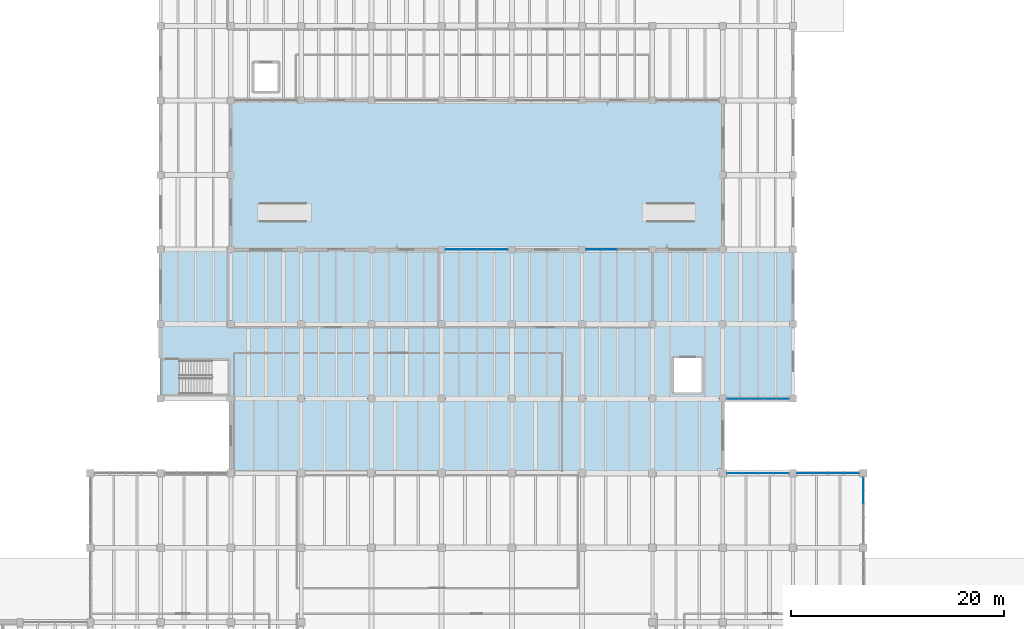
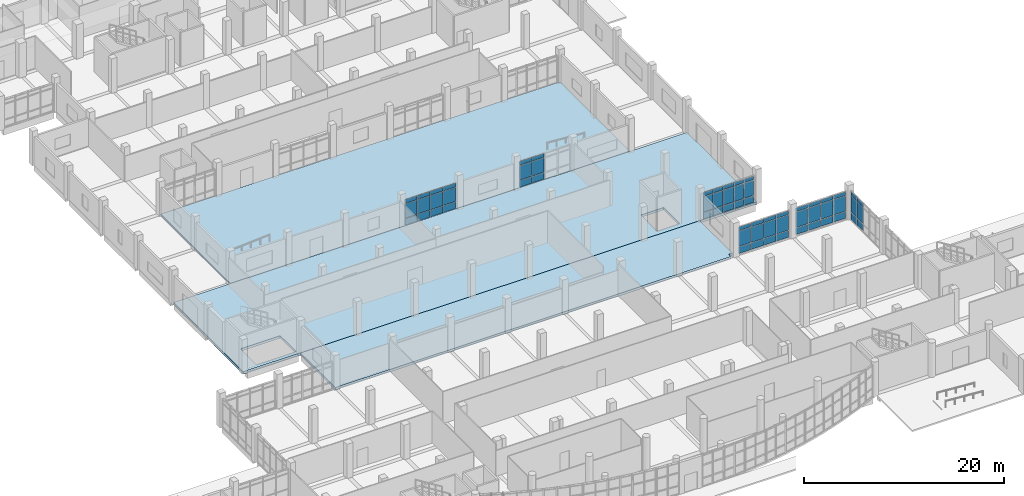
# One storey, part 37 of 69: 63 plates, 3 slabs, 6 elements without a shape of their own.
"""IFC4 building model written with IfcOpenShell, lengths in metres."""

from ifc_helpers import new_model, si_unit, direction, frame, origin, origin_2d, place, context, subcontext, project, spatial, polyline, rectangle, outline, extrude, material, layer, layer_set, type_object, element, aggregate, save


model = new_model("IFC4")

# Units and contexts
model_context = context("Model", 3, precision=1e-05, world=origin(), true_north=direction((0.0, 1.0)))
body_context = subcontext(model_context, "Body", "Model", "MODEL_VIEW")
ifc_project = project(units=[si_unit("LENGTHUNIT", "METRE"), si_unit("AREAUNIT", "SQUARE_METRE"), si_unit("VOLUMEUNIT", "CUBIC_METRE"), si_unit("PLANEANGLEUNIT", "RADIAN"), si_unit("MASSUNIT", "GRAM", prefix="KILO")], contexts=[model_context])

# Site, building, storey
site_placement = place(None, origin())
site = spatial("IfcSite", under=ifc_project, at=site_placement, CompositionType="ELEMENT")
building_placement = place(site_placement, origin())
building = spatial("IfcBuilding", under=site, at=building_placement, Name="Ciguamira Faculty of Natural Sciences", CompositionType="ELEMENT")
storey_placement = place(building_placement, origin())
storey = spatial("IfcBuildingStorey", under=building, at=storey_placement, Name="L00", CompositionType="ELEMENT", Elevation=0.0)

# Curtain wall, plates
ifc_material_1 = material(Name="Anodized aluminium curtain wall", Category="aluminium")
curtain_wall_type_1 = type_object("IfcCurtainWallType", Name="CurtainWall_CW-07", PredefinedType="USERDEFINED", material=ifc_material_1)
curtain_wall_1_placement = place(storey_placement, origin())
curtain_wall_1 = element("IfcCurtainWall", 1, at=curtain_wall_1_placement, inside=storey, type_object=curtain_wall_type_1, Name="L00 unitised curtain wall 0007", ObjectType="UNITISED CURTAIN WALL", PredefinedType="USERDEFINED")
ifc_material_2 = material(Name="Low-E laminated solar glass", Category="glass")
ifc_layer_1 = layer(ifc_material_2, 0.028076171875, Name="Low-E laminated solar glass")
ifc_layer_set_1 = layer_set([ifc_layer_1], Name="Low-E laminated solar glass")
plate_type_1 = type_object("IfcPlateType", Name="CWPanel_CWP-01", PredefinedType="CURTAIN_PANEL", material=ifc_layer_set_1)
plate_1_placement = place(storey_placement, frame((111.202392578125, 38.0, 0.06005859375), z_axis=(0.0, 0.0, 1.0), x_axis=(1.0, 0.0, 0.0)))
plate_1 = element("IfcPlate", 2, at=plate_1_placement, type_object=plate_type_1, Name="CW-07 panel 1.1", PredefinedType="CURTAIN_PANEL", context=body_context, shape_type="SweptSolid", body=[
    extrude(rectangle(XDim=1.385009765625, YDim=0.028076171875, at=origin_2d()), origin(), (0.0, 0.0, 1.0), 0.81005859375),
])
plate_2_placement = place(storey_placement, frame((111.202392578125, 38.0, 0.929931640625), z_axis=(0.0, 0.0, 1.0), x_axis=(1.0, 0.0, 0.0)))
plate_2 = element("IfcPlate", 3, at=plate_2_placement, type_object=plate_type_1, Name="CW-07 panel 1.2", PredefinedType="CURTAIN_PANEL", context=body_context, shape_type="SweptSolid", body=[
    extrude(rectangle(XDim=1.385009765625, YDim=0.028076171875, at=origin_2d()), origin(), (0.0, 0.0, 1.0), 1.85498046875),
])
plate_3_placement = place(storey_placement, frame((111.202392578125, 38.0, 2.844970703125), z_axis=(0.0, 0.0, 1.0), x_axis=(1.0, 0.0, 0.0)))
plate_3 = element("IfcPlate", 4, at=plate_3_placement, type_object=plate_type_1, Name="CW-07 panel 1.3", PredefinedType="CURTAIN_PANEL", context=body_context, shape_type="SweptSolid", body=[
    extrude(rectangle(XDim=1.385009765625, YDim=0.028076171875, at=origin_2d()), origin(), (0.0, 0.0, 1.0), 0.4599609375),
])
plate_4_placement = place(storey_placement, frame((112.66259765625, 38.0, 0.06005859375), z_axis=(0.0, 0.0, 1.0), x_axis=(1.0, 0.0, 0.0)))
plate_4 = element("IfcPlate", 5, at=plate_4_placement, type_object=plate_type_1, Name="CW-07 panel 2.1", PredefinedType="CURTAIN_PANEL", context=body_context, shape_type="SweptSolid", body=[
    extrude(rectangle(XDim=1.4150390625, YDim=0.028076171875, at=origin_2d()), origin(), (0.0, 0.0, 1.0), 0.81005859375),
])
plate_5_placement = place(storey_placement, frame((112.66259765625, 38.0, 0.929931640625), z_axis=(0.0, 0.0, 1.0), x_axis=(1.0, 0.0, 0.0)))
plate_5 = element("IfcPlate", 6, at=plate_5_placement, type_object=plate_type_1, Name="CW-07 panel 2.2", PredefinedType="CURTAIN_PANEL", context=body_context, shape_type="SweptSolid", body=[
    extrude(rectangle(XDim=1.4150390625, YDim=0.028076171875, at=origin_2d()), origin(), (0.0, 0.0, 1.0), 1.85498046875),
])
plate_6_placement = place(storey_placement, frame((112.66259765625, 38.0, 2.844970703125), z_axis=(0.0, 0.0, 1.0), x_axis=(1.0, 0.0, 0.0)))
plate_6 = element("IfcPlate", 7, at=plate_6_placement, type_object=plate_type_1, Name="CW-07 panel 2.3", PredefinedType="CURTAIN_PANEL", context=body_context, shape_type="SweptSolid", body=[
    extrude(rectangle(XDim=1.4150390625, YDim=0.028076171875, at=origin_2d()), origin(), (0.0, 0.0, 1.0), 0.4599609375),
])
plate_7_placement = place(storey_placement, frame((114.137451171875, 38.0, 0.06005859375), z_axis=(0.0, 0.0, 1.0), x_axis=(1.0, 0.0, 0.0)))
plate_7 = element("IfcPlate", 8, at=plate_7_placement, type_object=plate_type_1, Name="CW-07 panel 3.1", PredefinedType="CURTAIN_PANEL", context=body_context, shape_type="SweptSolid", body=[
    extrude(rectangle(XDim=1.4150390625, YDim=0.028076171875, at=origin_2d()), origin(), (0.0, 0.0, 1.0), 0.81005859375),
])
plate_8_placement = place(storey_placement, frame((114.137451171875, 38.0, 0.929931640625), z_axis=(0.0, 0.0, 1.0), x_axis=(1.0, 0.0, 0.0)))
plate_8 = element("IfcPlate", 9, at=plate_8_placement, type_object=plate_type_1, Name="CW-07 panel 3.2", PredefinedType="CURTAIN_PANEL", context=body_context, shape_type="SweptSolid", body=[
    extrude(rectangle(XDim=1.4150390625, YDim=0.028076171875, at=origin_2d()), origin(), (0.0, 0.0, 1.0), 1.85498046875),
])
plate_9_placement = place(storey_placement, frame((114.137451171875, 38.0, 2.844970703125), z_axis=(0.0, 0.0, 1.0), x_axis=(1.0, 0.0, 0.0)))
plate_9 = element("IfcPlate", 10, at=plate_9_placement, type_object=plate_type_1, Name="CW-07 panel 3.3", PredefinedType="CURTAIN_PANEL", context=body_context, shape_type="SweptSolid", body=[
    extrude(rectangle(XDim=1.4150390625, YDim=0.028076171875, at=origin_2d()), origin(), (0.0, 0.0, 1.0), 0.4599609375),
])
plate_10_placement = place(storey_placement, frame((115.597412109375, 38.0, 0.06005859375), z_axis=(0.0, 0.0, 1.0), x_axis=(1.0, 0.0, 0.0)))
plate_10 = element("IfcPlate", 11, at=plate_10_placement, type_object=plate_type_1, Name="CW-07 panel 4.1", PredefinedType="CURTAIN_PANEL", context=body_context, shape_type="SweptSolid", body=[
    extrude(rectangle(XDim=1.385009765625, YDim=0.028076171875, at=origin_2d()), origin(), (0.0, 0.0, 1.0), 0.81005859375),
])
plate_11_placement = place(storey_placement, frame((115.597412109375, 38.0, 0.929931640625), z_axis=(0.0, 0.0, 1.0), x_axis=(1.0, 0.0, 0.0)))
plate_11 = element("IfcPlate", 12, at=plate_11_placement, type_object=plate_type_1, Name="CW-07 panel 4.2", PredefinedType="CURTAIN_PANEL", context=body_context, shape_type="SweptSolid", body=[
    extrude(rectangle(XDim=1.385009765625, YDim=0.028076171875, at=origin_2d()), origin(), (0.0, 0.0, 1.0), 1.85498046875),
])
plate_12_placement = place(storey_placement, frame((115.597412109375, 38.0, 2.844970703125), z_axis=(0.0, 0.0, 1.0), x_axis=(1.0, 0.0, 0.0)))
plate_12 = element("IfcPlate", 13, at=plate_12_placement, type_object=plate_type_1, Name="CW-07 panel 4.3", PredefinedType="CURTAIN_PANEL", context=body_context, shape_type="SweptSolid", body=[
    extrude(rectangle(XDim=1.385009765625, YDim=0.028076171875, at=origin_2d()), origin(), (0.0, 0.0, 1.0), 0.4599609375),
])
aggregate(curtain_wall_1, [plate_1, plate_2, plate_3, plate_4, plate_5, plate_6, plate_7, plate_8, plate_9, plate_10, plate_11, plate_12])

curtain_wall_type_2 = type_object("IfcCurtainWallType", Name="CurtainWall_CW-09", PredefinedType="USERDEFINED", material=ifc_material_1)
curtain_wall_2_placement = place(storey_placement, origin())
curtain_wall_2 = element("IfcCurtainWall", 14, at=curtain_wall_2_placement, inside=storey, type_object=curtain_wall_type_2, Name="L00 unitised curtain wall 0009", ObjectType="UNITISED CURTAIN WALL", PredefinedType="USERDEFINED")
plate_13_placement = place(storey_placement, frame((111.0400390625, 45.0, 0.080078125), z_axis=(0.0, 0.0, 1.0), x_axis=(1.0, 0.0, 0.0)))
plate_13 = element("IfcPlate", 15, at=plate_13_placement, type_object=plate_type_1, Name="CW-09 panel 1.1", PredefinedType="CURTAIN_PANEL", context=body_context, shape_type="SweptSolid", body=[
    extrude(rectangle(XDim=1.070068359375, YDim=0.028076171875, at=origin_2d()), origin(), (0.0, 0.0, 1.0), 0.780029296875),
])
plate_14_placement = place(storey_placement, frame((111.0400390625, 45.0, 0.93994140625), z_axis=(0.0, 0.0, 1.0), x_axis=(1.0, 0.0, 0.0)))
plate_14 = element("IfcPlate", 16, at=plate_14_placement, type_object=plate_type_1, Name="CW-09 panel 1.2", PredefinedType="CURTAIN_PANEL", context=body_context, shape_type="SweptSolid", body=[
    extrude(rectangle(XDim=1.070068359375, YDim=0.028076171875, at=origin_2d()), origin(), (0.0, 0.0, 1.0), 1.8349609375),
])
plate_15_placement = place(storey_placement, frame((111.0400390625, 45.0, 2.85498046875), z_axis=(0.0, 0.0, 1.0), x_axis=(1.0, 0.0, 0.0)))
plate_15 = element("IfcPlate", 17, at=plate_15_placement, type_object=plate_type_1, Name="CW-09 panel 1.3", PredefinedType="CURTAIN_PANEL", context=body_context, shape_type="SweptSolid", body=[
    extrude(rectangle(XDim=1.070068359375, YDim=0.028076171875, at=origin_2d()), origin(), (0.0, 0.0, 1.0), 0.429931640625),
])
plate_16_placement = place(storey_placement, frame((112.2099609375, 45.0, 0.080078125), z_axis=(0.0, 0.0, 1.0), x_axis=(1.0, 0.0, 0.0)))
plate_16 = element("IfcPlate", 18, at=plate_16_placement, type_object=plate_type_1, Name="CW-09 panel 2.1", PredefinedType="CURTAIN_PANEL", context=body_context, shape_type="SweptSolid", body=[
    extrude(rectangle(XDim=1.110107421875, YDim=0.028076171875, at=origin_2d()), origin(), (0.0, 0.0, 1.0), 0.780029296875),
])
plate_17_placement = place(storey_placement, frame((112.2099609375, 45.0, 0.93994140625), z_axis=(0.0, 0.0, 1.0), x_axis=(1.0, 0.0, 0.0)))
plate_17 = element("IfcPlate", 19, at=plate_17_placement, type_object=plate_type_1, Name="CW-09 panel 2.2", PredefinedType="CURTAIN_PANEL", context=body_context, shape_type="SweptSolid", body=[
    extrude(rectangle(XDim=1.110107421875, YDim=0.028076171875, at=origin_2d()), origin(), (0.0, 0.0, 1.0), 1.8349609375),
])
plate_18_placement = place(storey_placement, frame((112.2099609375, 45.0, 2.85498046875), z_axis=(0.0, 0.0, 1.0), x_axis=(1.0, 0.0, 0.0)))
plate_18 = element("IfcPlate", 20, at=plate_18_placement, type_object=plate_type_1, Name="CW-09 panel 2.3", PredefinedType="CURTAIN_PANEL", context=body_context, shape_type="SweptSolid", body=[
    extrude(rectangle(XDim=1.110107421875, YDim=0.028076171875, at=origin_2d()), origin(), (0.0, 0.0, 1.0), 0.429931640625),
])
plate_19_placement = place(storey_placement, frame((113.39990234375, 45.0, 0.080078125), z_axis=(0.0, 0.0, 1.0), x_axis=(1.0, 0.0, 0.0)))
plate_19 = element("IfcPlate", 21, at=plate_19_placement, type_object=plate_type_1, Name="CW-09 panel 3.1", PredefinedType="CURTAIN_PANEL", context=body_context, shape_type="SweptSolid", body=[
    extrude(rectangle(XDim=1.110107421875, YDim=0.028076171875, at=origin_2d()), origin(), (0.0, 0.0, 1.0), 0.780029296875),
])
plate_20_placement = place(storey_placement, frame((113.39990234375, 45.0, 0.93994140625), z_axis=(0.0, 0.0, 1.0), x_axis=(1.0, 0.0, 0.0)))
plate_20 = element("IfcPlate", 22, at=plate_20_placement, type_object=plate_type_1, Name="CW-09 panel 3.2", PredefinedType="CURTAIN_PANEL", context=body_context, shape_type="SweptSolid", body=[
    extrude(rectangle(XDim=1.110107421875, YDim=0.028076171875, at=origin_2d()), origin(), (0.0, 0.0, 1.0), 1.8349609375),
])
plate_21_placement = place(storey_placement, frame((113.39990234375, 45.0, 2.85498046875), z_axis=(0.0, 0.0, 1.0), x_axis=(1.0, 0.0, 0.0)))
plate_21 = element("IfcPlate", 23, at=plate_21_placement, type_object=plate_type_1, Name="CW-09 panel 3.3", PredefinedType="CURTAIN_PANEL", context=body_context, shape_type="SweptSolid", body=[
    extrude(rectangle(XDim=1.110107421875, YDim=0.028076171875, at=origin_2d()), origin(), (0.0, 0.0, 1.0), 0.429931640625),
])
plate_22_placement = place(storey_placement, frame((114.590087890625, 45.0, 0.080078125), z_axis=(0.0, 0.0, 1.0), x_axis=(1.0, 0.0, 0.0)))
plate_22 = element("IfcPlate", 24, at=plate_22_placement, type_object=plate_type_1, Name="CW-09 panel 4.1", PredefinedType="CURTAIN_PANEL", context=body_context, shape_type="SweptSolid", body=[
    extrude(rectangle(XDim=1.110107421875, YDim=0.028076171875, at=origin_2d()), origin(), (0.0, 0.0, 1.0), 0.780029296875),
])
plate_23_placement = place(storey_placement, frame((114.590087890625, 45.0, 0.93994140625), z_axis=(0.0, 0.0, 1.0), x_axis=(1.0, 0.0, 0.0)))
plate_23 = element("IfcPlate", 25, at=plate_23_placement, type_object=plate_type_1, Name="CW-09 panel 4.2", PredefinedType="CURTAIN_PANEL", context=body_context, shape_type="SweptSolid", body=[
    extrude(rectangle(XDim=1.110107421875, YDim=0.028076171875, at=origin_2d()), origin(), (0.0, 0.0, 1.0), 1.8349609375),
])
plate_24_placement = place(storey_placement, frame((114.590087890625, 45.0, 2.85498046875), z_axis=(0.0, 0.0, 1.0), x_axis=(1.0, 0.0, 0.0)))
plate_24 = element("IfcPlate", 26, at=plate_24_placement, type_object=plate_type_1, Name="CW-09 panel 4.3", PredefinedType="CURTAIN_PANEL", context=body_context, shape_type="SweptSolid", body=[
    extrude(rectangle(XDim=1.110107421875, YDim=0.028076171875, at=origin_2d()), origin(), (0.0, 0.0, 1.0), 0.429931640625),
])
plate_25_placement = place(storey_placement, frame((115.760009765625, 45.0, 0.080078125), z_axis=(0.0, 0.0, 1.0), x_axis=(1.0, 0.0, 0.0)))
plate_25 = element("IfcPlate", 27, at=plate_25_placement, type_object=plate_type_1, Name="CW-09 panel 5.1", PredefinedType="CURTAIN_PANEL", context=body_context, shape_type="SweptSolid", body=[
    extrude(rectangle(XDim=1.070068359375, YDim=0.028076171875, at=origin_2d()), origin(), (0.0, 0.0, 1.0), 0.780029296875),
])
plate_26_placement = place(storey_placement, frame((115.760009765625, 45.0, 0.93994140625), z_axis=(0.0, 0.0, 1.0), x_axis=(1.0, 0.0, 0.0)))
plate_26 = element("IfcPlate", 28, at=plate_26_placement, type_object=plate_type_1, Name="CW-09 panel 5.2", PredefinedType="CURTAIN_PANEL", context=body_context, shape_type="SweptSolid", body=[
    extrude(rectangle(XDim=1.070068359375, YDim=0.028076171875, at=origin_2d()), origin(), (0.0, 0.0, 1.0), 1.8349609375),
])
plate_27_placement = place(storey_placement, frame((115.760009765625, 45.0, 2.85498046875), z_axis=(0.0, 0.0, 1.0), x_axis=(1.0, 0.0, 0.0)))
plate_27 = element("IfcPlate", 29, at=plate_27_placement, type_object=plate_type_1, Name="CW-09 panel 5.3", PredefinedType="CURTAIN_PANEL", context=body_context, shape_type="SweptSolid", body=[
    extrude(rectangle(XDim=1.070068359375, YDim=0.028076171875, at=origin_2d()), origin(), (0.0, 0.0, 1.0), 0.429931640625),
])
aggregate(curtain_wall_2, [plate_13, plate_14, plate_15, plate_16, plate_17, plate_18, plate_19, plate_20, plate_21, plate_22, plate_23, plate_24, plate_25, plate_26, plate_27])

curtain_wall_type_3 = type_object("IfcCurtainWallType", Name="CurtainWall_CW-11", PredefinedType="USERDEFINED", material=ifc_material_1)
curtain_wall_3_placement = place(storey_placement, origin())
curtain_wall_3 = element("IfcCurtainWall", 30, at=curtain_wall_3_placement, inside=storey, type_object=curtain_wall_type_3, Name="L00 unitised curtain wall 0011", ObjectType="UNITISED CURTAIN WALL", PredefinedType="USERDEFINED")
plate_28_placement = place(storey_placement, frame((97.986328125, 59.0, 0.070068359375), z_axis=(0.0, 0.0, 1.0), x_axis=(1.0, 0.0, 0.0)))
plate_28 = element("IfcPlate", 31, at=plate_28_placement, type_object=plate_type_1, Name="CW-11 panel 1.1", PredefinedType="CURTAIN_PANEL", context=body_context, shape_type="SweptSolid", body=[
    extrude(rectangle(XDim=1.382568359375, YDim=0.028076171875, at=origin_2d()), origin(), (0.0, 0.0, 1.0), 0.794921875),
])
plate_29_placement = place(storey_placement, frame((97.986328125, 59.0, 0.93505859375), z_axis=(0.0, 0.0, 1.0), x_axis=(1.0, 0.0, 0.0)))
plate_29 = element("IfcPlate", 32, at=plate_29_placement, type_object=plate_type_1, Name="CW-11 panel 1.2", PredefinedType="CURTAIN_PANEL", context=body_context, shape_type="SweptSolid", body=[
    extrude(rectangle(XDim=1.382568359375, YDim=0.028076171875, at=origin_2d()), origin(), (0.0, 0.0, 1.0), 1.764892578125),
])
plate_30_placement = place(storey_placement, frame((97.986328125, 59.0, 2.77001953125), z_axis=(0.0, 0.0, 1.0), x_axis=(1.0, 0.0, 0.0)))
plate_30 = element("IfcPlate", 33, at=plate_30_placement, type_object=plate_type_1, Name="CW-11 panel 1.3", PredefinedType="CURTAIN_PANEL", context=body_context, shape_type="SweptSolid", body=[
    extrude(rectangle(XDim=1.382568359375, YDim=0.028076171875, at=origin_2d()), origin(), (0.0, 0.0, 1.0), 0.445068359375),
])
plate_31_placement = place(storey_placement, frame((99.456298828125, 59.0, 0.070068359375), z_axis=(0.0, 0.0, 1.0), x_axis=(1.0, 0.0, 0.0)))
plate_31 = element("IfcPlate", 34, at=plate_31_placement, type_object=plate_type_1, Name="CW-11 panel 2.1", PredefinedType="CURTAIN_PANEL", context=body_context, shape_type="SweptSolid", body=[
    extrude(rectangle(XDim=1.41748046875, YDim=0.028076171875, at=origin_2d()), origin(), (0.0, 0.0, 1.0), 0.794921875),
])
plate_32_placement = place(storey_placement, frame((99.456298828125, 59.0, 0.93505859375), z_axis=(0.0, 0.0, 1.0), x_axis=(1.0, 0.0, 0.0)))
plate_32 = element("IfcPlate", 35, at=plate_32_placement, type_object=plate_type_1, Name="CW-11 panel 2.2", PredefinedType="CURTAIN_PANEL", context=body_context, shape_type="SweptSolid", body=[
    extrude(rectangle(XDim=1.41748046875, YDim=0.028076171875, at=origin_2d()), origin(), (0.0, 0.0, 1.0), 1.764892578125),
])
plate_33_placement = place(storey_placement, frame((99.456298828125, 59.0, 2.77001953125), z_axis=(0.0, 0.0, 1.0), x_axis=(1.0, 0.0, 0.0)))
plate_33 = element("IfcPlate", 36, at=plate_33_placement, type_object=plate_type_1, Name="CW-11 panel 2.3", PredefinedType="CURTAIN_PANEL", context=body_context, shape_type="SweptSolid", body=[
    extrude(rectangle(XDim=1.41748046875, YDim=0.028076171875, at=origin_2d()), origin(), (0.0, 0.0, 1.0), 0.445068359375),
])
aggregate(curtain_wall_3, [plate_28, plate_29, plate_30, plate_31, plate_32, plate_33])

curtain_wall_type_4 = type_object("IfcCurtainWallType", Name="CurtainWall_CW-01", PredefinedType="USERDEFINED", material=ifc_material_1)
curtain_wall_4_placement = place(storey_placement, origin())
curtain_wall_4 = element("IfcCurtainWall", 37, at=curtain_wall_4_placement, inside=storey, type_object=curtain_wall_type_4, Name="L00 unitised curtain wall 0025", ObjectType="UNITISED CURTAIN WALL", PredefinedType="USERDEFINED")
plate_34_placement = place(storey_placement, frame((123.300048828125, 35.760009765625, 0.06005859375), z_axis=(0.0, 0.0, 1.0), x_axis=(0.0, 1.0, 0.0)))
plate_34 = element("IfcPlate", 38, at=plate_34_placement, type_object=plate_type_1, Name="CW-01 panel 4.1", PredefinedType="CURTAIN_PANEL", context=body_context, shape_type="SweptSolid", body=[
    extrude(rectangle(XDim=1.199951171875, YDim=0.028076171875, at=origin_2d()), origin(), (0.0, 0.0, 1.0), 0.81005859375),
])
plate_35_placement = place(storey_placement, frame((123.300048828125, 35.760009765625, 0.929931640625), z_axis=(0.0, 0.0, 1.0), x_axis=(0.0, 1.0, 0.0)))
plate_35 = element("IfcPlate", 39, at=plate_35_placement, type_object=plate_type_1, Name="CW-01 panel 4.2", PredefinedType="CURTAIN_PANEL", context=body_context, shape_type="SweptSolid", body=[
    extrude(rectangle(XDim=1.199951171875, YDim=0.028076171875, at=origin_2d()), origin(), (0.0, 0.0, 1.0), 1.9951171875),
])
plate_36_placement = place(storey_placement, frame((123.300048828125, 35.760009765625, 2.985107421875), z_axis=(0.0, 0.0, 1.0), x_axis=(0.0, 1.0, 0.0)))
plate_36 = element("IfcPlate", 40, at=plate_36_placement, type_object=plate_type_1, Name="CW-01 panel 4.3", PredefinedType="CURTAIN_PANEL", context=body_context, shape_type="SweptSolid", body=[
    extrude(rectangle(XDim=1.199951171875, YDim=0.028076171875, at=origin_2d()), origin(), (0.0, 0.0, 1.0), 0.4599609375),
])
plate_37_placement = place(storey_placement, frame((123.300048828125, 37.0048828125, 0.06005859375), z_axis=(0.0, 0.0, 1.0), x_axis=(0.0, 1.0, 0.0)))
plate_37 = element("IfcPlate", 41, at=plate_37_placement, type_object=plate_type_1, Name="CW-01 panel 5.1", PredefinedType="CURTAIN_PANEL", context=body_context, shape_type="SweptSolid", body=[
    extrude(rectangle(XDim=1.169921875, YDim=0.028076171875, at=origin_2d()), origin(), (0.0, 0.0, 1.0), 0.81005859375),
])
plate_38_placement = place(storey_placement, frame((123.300048828125, 37.0048828125, 0.929931640625), z_axis=(0.0, 0.0, 1.0), x_axis=(0.0, 1.0, 0.0)))
plate_38 = element("IfcPlate", 42, at=plate_38_placement, type_object=plate_type_1, Name="CW-01 panel 5.2", PredefinedType="CURTAIN_PANEL", context=body_context, shape_type="SweptSolid", body=[
    extrude(rectangle(XDim=1.169921875, YDim=0.028076171875, at=origin_2d()), origin(), (0.0, 0.0, 1.0), 1.9951171875),
])
plate_39_placement = place(storey_placement, frame((123.300048828125, 37.0048828125, 2.985107421875), z_axis=(0.0, 0.0, 1.0), x_axis=(0.0, 1.0, 0.0)))
plate_39 = element("IfcPlate", 43, at=plate_39_placement, type_object=plate_type_1, Name="CW-01 panel 5.3", PredefinedType="CURTAIN_PANEL", context=body_context, shape_type="SweptSolid", body=[
    extrude(rectangle(XDim=1.169921875, YDim=0.028076171875, at=origin_2d()), origin(), (0.0, 0.0, 1.0), 0.4599609375),
])
aggregate(curtain_wall_4, [plate_34, plate_35, plate_36, plate_37, plate_38, plate_39])

curtain_wall_type_5 = type_object("IfcCurtainWallType", Name="CurtainWall_CW-08", PredefinedType="USERDEFINED", material=ifc_material_1)
curtain_wall_5_placement = place(storey_placement, origin())
curtain_wall_5 = element("IfcCurtainWall", 44, at=curtain_wall_5_placement, inside=storey, type_object=curtain_wall_type_5, Name="L00 unitised curtain wall 0008", ObjectType="UNITISED CURTAIN WALL", PredefinedType="USERDEFINED")
ifc_layer_2 = layer(ifc_material_2, 0.035888671875, Name="Low-E laminated solar glass")
ifc_layer_set_2 = layer_set([ifc_layer_2], Name="Low-E laminated solar glass")
plate_type_2 = type_object("IfcPlateType", Name="CWPanel_CWP-02", PredefinedType="CURTAIN_PANEL", material=ifc_layer_set_2)
plate_40_placement = place(storey_placement, frame((117.804931640625, 38.0, 0.070068359375), z_axis=(0.0, 0.0, 1.0), x_axis=(1.0, 0.0, 0.0)))
plate_40 = element("IfcPlate", 45, at=plate_40_placement, type_object=plate_type_2, Name="CW-08 panel 1.1", PredefinedType="CURTAIN_PANEL", context=body_context, shape_type="SweptSolid", body=[
    extrude(rectangle(XDim=1.3701171875, YDim=0.035888671875, at=origin_2d()), origin(), (0.0, 0.0, 1.0), 0.794921875),
])
plate_41_placement = place(storey_placement, frame((117.804931640625, 38.0, 0.93505859375), z_axis=(0.0, 0.0, 1.0), x_axis=(1.0, 0.0, 0.0)))
plate_41 = element("IfcPlate", 46, at=plate_41_placement, type_object=plate_type_2, Name="CW-08 panel 1.2", PredefinedType="CURTAIN_PANEL", context=body_context, shape_type="SweptSolid", body=[
    extrude(rectangle(XDim=1.3701171875, YDim=0.035888671875, at=origin_2d()), origin(), (0.0, 0.0, 1.0), 1.864990234375),
])
plate_42_placement = place(storey_placement, frame((117.804931640625, 38.0, 2.8701171875), z_axis=(0.0, 0.0, 1.0), x_axis=(1.0, 0.0, 0.0)))
plate_42 = element("IfcPlate", 47, at=plate_42_placement, type_object=plate_type_2, Name="CW-08 panel 1.3", PredefinedType="CURTAIN_PANEL", context=body_context, shape_type="SweptSolid", body=[
    extrude(rectangle(XDim=1.3701171875, YDim=0.035888671875, at=origin_2d()), origin(), (0.0, 0.0, 1.0), 0.445068359375),
])
plate_43_placement = place(storey_placement, frame((119.262451171875, 38.0, 0.070068359375), z_axis=(0.0, 0.0, 1.0), x_axis=(1.0, 0.0, 0.0)))
plate_43 = element("IfcPlate", 48, at=plate_43_placement, type_object=plate_type_2, Name="CW-08 panel 2.1", PredefinedType="CURTAIN_PANEL", context=body_context, shape_type="SweptSolid", body=[
    extrude(rectangle(XDim=1.405029296875, YDim=0.035888671875, at=origin_2d()), origin(), (0.0, 0.0, 1.0), 0.794921875),
])
plate_44_placement = place(storey_placement, frame((119.262451171875, 38.0, 0.93505859375), z_axis=(0.0, 0.0, 1.0), x_axis=(1.0, 0.0, 0.0)))
plate_44 = element("IfcPlate", 49, at=plate_44_placement, type_object=plate_type_2, Name="CW-08 panel 2.2", PredefinedType="CURTAIN_PANEL", context=body_context, shape_type="SweptSolid", body=[
    extrude(rectangle(XDim=1.405029296875, YDim=0.035888671875, at=origin_2d()), origin(), (0.0, 0.0, 1.0), 1.864990234375),
])
plate_45_placement = place(storey_placement, frame((119.262451171875, 38.0, 2.8701171875), z_axis=(0.0, 0.0, 1.0), x_axis=(1.0, 0.0, 0.0)))
plate_45 = element("IfcPlate", 50, at=plate_45_placement, type_object=plate_type_2, Name="CW-08 panel 2.3", PredefinedType="CURTAIN_PANEL", context=body_context, shape_type="SweptSolid", body=[
    extrude(rectangle(XDim=1.405029296875, YDim=0.035888671875, at=origin_2d()), origin(), (0.0, 0.0, 1.0), 0.445068359375),
])
plate_46_placement = place(storey_placement, frame((120.737548828125, 38.0, 0.070068359375), z_axis=(0.0, 0.0, 1.0), x_axis=(1.0, 0.0, 0.0)))
plate_46 = element("IfcPlate", 51, at=plate_46_placement, type_object=plate_type_2, Name="CW-08 panel 3.1", PredefinedType="CURTAIN_PANEL", context=body_context, shape_type="SweptSolid", body=[
    extrude(rectangle(XDim=1.405029296875, YDim=0.035888671875, at=origin_2d()), origin(), (0.0, 0.0, 1.0), 0.794921875),
])
plate_47_placement = place(storey_placement, frame((120.737548828125, 38.0, 0.93505859375), z_axis=(0.0, 0.0, 1.0), x_axis=(1.0, 0.0, 0.0)))
plate_47 = element("IfcPlate", 52, at=plate_47_placement, type_object=plate_type_2, Name="CW-08 panel 3.2", PredefinedType="CURTAIN_PANEL", context=body_context, shape_type="SweptSolid", body=[
    extrude(rectangle(XDim=1.405029296875, YDim=0.035888671875, at=origin_2d()), origin(), (0.0, 0.0, 1.0), 1.864990234375),
])
plate_48_placement = place(storey_placement, frame((120.737548828125, 38.0, 2.8701171875), z_axis=(0.0, 0.0, 1.0), x_axis=(1.0, 0.0, 0.0)))
plate_48 = element("IfcPlate", 53, at=plate_48_placement, type_object=plate_type_2, Name="CW-08 panel 3.3", PredefinedType="CURTAIN_PANEL", context=body_context, shape_type="SweptSolid", body=[
    extrude(rectangle(XDim=1.405029296875, YDim=0.035888671875, at=origin_2d()), origin(), (0.0, 0.0, 1.0), 0.445068359375),
])
plate_49_placement = place(storey_placement, frame((122.195068359375, 38.0, 0.070068359375), z_axis=(0.0, 0.0, 1.0), x_axis=(1.0, 0.0, 0.0)))
plate_49 = element("IfcPlate", 54, at=plate_49_placement, type_object=plate_type_2, Name="CW-08 panel 4.1", PredefinedType="CURTAIN_PANEL", context=body_context, shape_type="SweptSolid", body=[
    extrude(rectangle(XDim=1.3701171875, YDim=0.035888671875, at=origin_2d()), origin(), (0.0, 0.0, 1.0), 0.794921875),
])
plate_50_placement = place(storey_placement, frame((122.195068359375, 38.0, 0.93505859375), z_axis=(0.0, 0.0, 1.0), x_axis=(1.0, 0.0, 0.0)))
plate_50 = element("IfcPlate", 55, at=plate_50_placement, type_object=plate_type_2, Name="CW-08 panel 4.2", PredefinedType="CURTAIN_PANEL", context=body_context, shape_type="SweptSolid", body=[
    extrude(rectangle(XDim=1.3701171875, YDim=0.035888671875, at=origin_2d()), origin(), (0.0, 0.0, 1.0), 1.864990234375),
])
plate_51_placement = place(storey_placement, frame((122.195068359375, 38.0, 2.8701171875), z_axis=(0.0, 0.0, 1.0), x_axis=(1.0, 0.0, 0.0)))
plate_51 = element("IfcPlate", 56, at=plate_51_placement, type_object=plate_type_2, Name="CW-08 panel 4.3", PredefinedType="CURTAIN_PANEL", context=body_context, shape_type="SweptSolid", body=[
    extrude(rectangle(XDim=1.3701171875, YDim=0.035888671875, at=origin_2d()), origin(), (0.0, 0.0, 1.0), 0.445068359375),
])
aggregate(curtain_wall_5, [plate_40, plate_41, plate_42, plate_43, plate_44, plate_45, plate_46, plate_47, plate_48, plate_49, plate_50, plate_51])

curtain_wall_type_6 = type_object("IfcCurtainWallType", Name="CurtainWall_CW-10", PredefinedType="USERDEFINED", material=ifc_material_1)
curtain_wall_6_placement = place(storey_placement, origin())
curtain_wall_6 = element("IfcCurtainWall", 57, at=curtain_wall_6_placement, inside=storey, type_object=curtain_wall_type_6, Name="L00 unitised curtain wall 0010", ObjectType="UNITISED CURTAIN WALL", PredefinedType="USERDEFINED")
plate_52_placement = place(storey_placement, frame((84.78369140625, 59.0, 0.06005859375), z_axis=(0.0, 0.0, 1.0), x_axis=(1.0, 0.0, 0.0)))
plate_52 = element("IfcPlate", 58, at=plate_52_placement, type_object=plate_type_2, Name="CW-10 panel 1.1", PredefinedType="CURTAIN_PANEL", context=body_context, shape_type="SweptSolid", body=[
    extrude(rectangle(XDim=1.3974609375, YDim=0.035888671875, at=origin_2d()), origin(), (0.0, 0.0, 1.0), 0.81005859375),
])
plate_53_placement = place(storey_placement, frame((84.78369140625, 59.0, 0.929931640625), z_axis=(0.0, 0.0, 1.0), x_axis=(1.0, 0.0, 0.0)))
plate_53 = element("IfcPlate", 59, at=plate_53_placement, type_object=plate_type_2, Name="CW-10 panel 1.2", PredefinedType="CURTAIN_PANEL", context=body_context, shape_type="SweptSolid", body=[
    extrude(rectangle(XDim=1.3974609375, YDim=0.035888671875, at=origin_2d()), origin(), (0.0, 0.0, 1.0), 1.72509765625),
])
plate_54_placement = place(storey_placement, frame((84.78369140625, 59.0, 2.715087890625), z_axis=(0.0, 0.0, 1.0), x_axis=(1.0, 0.0, 0.0)))
plate_54 = element("IfcPlate", 60, at=plate_54_placement, type_object=plate_type_2, Name="CW-10 panel 1.3", PredefinedType="CURTAIN_PANEL", context=body_context, shape_type="SweptSolid", body=[
    extrude(rectangle(XDim=1.3974609375, YDim=0.035888671875, at=origin_2d()), origin(), (0.0, 0.0, 1.0), 0.4599609375),
])
plate_55_placement = place(storey_placement, frame((86.25634765625, 59.0, 0.06005859375), z_axis=(0.0, 0.0, 1.0), x_axis=(1.0, 0.0, 0.0)))
plate_55 = element("IfcPlate", 61, at=plate_55_placement, type_object=plate_type_2, Name="CW-10 panel 2.1", PredefinedType="CURTAIN_PANEL", context=body_context, shape_type="SweptSolid", body=[
    extrude(rectangle(XDim=1.427490234375, YDim=0.035888671875, at=origin_2d()), origin(), (0.0, 0.0, 1.0), 0.81005859375),
])
plate_56_placement = place(storey_placement, frame((86.25634765625, 59.0, 0.929931640625), z_axis=(0.0, 0.0, 1.0), x_axis=(1.0, 0.0, 0.0)))
plate_56 = element("IfcPlate", 62, at=plate_56_placement, type_object=plate_type_2, Name="CW-10 panel 2.2", PredefinedType="CURTAIN_PANEL", context=body_context, shape_type="SweptSolid", body=[
    extrude(rectangle(XDim=1.427490234375, YDim=0.035888671875, at=origin_2d()), origin(), (0.0, 0.0, 1.0), 1.72509765625),
])
plate_57_placement = place(storey_placement, frame((86.25634765625, 59.0, 2.715087890625), z_axis=(0.0, 0.0, 1.0), x_axis=(1.0, 0.0, 0.0)))
plate_57 = element("IfcPlate", 63, at=plate_57_placement, type_object=plate_type_2, Name="CW-10 panel 2.3", PredefinedType="CURTAIN_PANEL", context=body_context, shape_type="SweptSolid", body=[
    extrude(rectangle(XDim=1.427490234375, YDim=0.035888671875, at=origin_2d()), origin(), (0.0, 0.0, 1.0), 0.4599609375),
])
plate_58_placement = place(storey_placement, frame((87.74365234375, 59.0, 0.06005859375), z_axis=(0.0, 0.0, 1.0), x_axis=(1.0, 0.0, 0.0)))
plate_58 = element("IfcPlate", 64, at=plate_58_placement, type_object=plate_type_2, Name="CW-10 panel 3.1", PredefinedType="CURTAIN_PANEL", context=body_context, shape_type="SweptSolid", body=[
    extrude(rectangle(XDim=1.427490234375, YDim=0.035888671875, at=origin_2d()), origin(), (0.0, 0.0, 1.0), 0.81005859375),
])
plate_59_placement = place(storey_placement, frame((87.74365234375, 59.0, 0.929931640625), z_axis=(0.0, 0.0, 1.0), x_axis=(1.0, 0.0, 0.0)))
plate_59 = element("IfcPlate", 65, at=plate_59_placement, type_object=plate_type_2, Name="CW-10 panel 3.2", PredefinedType="CURTAIN_PANEL", context=body_context, shape_type="SweptSolid", body=[
    extrude(rectangle(XDim=1.427490234375, YDim=0.035888671875, at=origin_2d()), origin(), (0.0, 0.0, 1.0), 1.72509765625),
])
plate_60_placement = place(storey_placement, frame((87.74365234375, 59.0, 2.715087890625), z_axis=(0.0, 0.0, 1.0), x_axis=(1.0, 0.0, 0.0)))
plate_60 = element("IfcPlate", 66, at=plate_60_placement, type_object=plate_type_2, Name="CW-10 panel 3.3", PredefinedType="CURTAIN_PANEL", context=body_context, shape_type="SweptSolid", body=[
    extrude(rectangle(XDim=1.427490234375, YDim=0.035888671875, at=origin_2d()), origin(), (0.0, 0.0, 1.0), 0.4599609375),
])
plate_61_placement = place(storey_placement, frame((89.21630859375, 59.0, 0.06005859375), z_axis=(0.0, 0.0, 1.0), x_axis=(1.0, 0.0, 0.0)))
plate_61 = element("IfcPlate", 67, at=plate_61_placement, type_object=plate_type_2, Name="CW-10 panel 4.1", PredefinedType="CURTAIN_PANEL", context=body_context, shape_type="SweptSolid", body=[
    extrude(rectangle(XDim=1.3974609375, YDim=0.035888671875, at=origin_2d()), origin(), (0.0, 0.0, 1.0), 0.81005859375),
])
plate_62_placement = place(storey_placement, frame((89.21630859375, 59.0, 0.929931640625), z_axis=(0.0, 0.0, 1.0), x_axis=(1.0, 0.0, 0.0)))
plate_62 = element("IfcPlate", 68, at=plate_62_placement, type_object=plate_type_2, Name="CW-10 panel 4.2", PredefinedType="CURTAIN_PANEL", context=body_context, shape_type="SweptSolid", body=[
    extrude(rectangle(XDim=1.3974609375, YDim=0.035888671875, at=origin_2d()), origin(), (0.0, 0.0, 1.0), 1.72509765625),
])
plate_63_placement = place(storey_placement, frame((89.21630859375, 59.0, 2.715087890625), z_axis=(0.0, 0.0, 1.0), x_axis=(1.0, 0.0, 0.0)))
plate_63 = element("IfcPlate", 69, at=plate_63_placement, type_object=plate_type_2, Name="CW-10 panel 4.3", PredefinedType="CURTAIN_PANEL", context=body_context, shape_type="SweptSolid", body=[
    extrude(rectangle(XDim=1.3974609375, YDim=0.035888671875, at=origin_2d()), origin(), (0.0, 0.0, 1.0), 0.4599609375),
])
aggregate(curtain_wall_6, [plate_52, plate_53, plate_54, plate_55, plate_56, plate_57, plate_58, plate_59, plate_60, plate_61, plate_62, plate_63])

# Slabs
ifc_material_3 = material(Name="Precast concrete C35/45", Category="concrete")
ifc_layer_3 = layer(ifc_material_3, 0.179931640625, Name="Precast concrete C35/45")
ifc_layer_set_3 = layer_set([ifc_layer_3], Name="Precast concrete C35/45")
slab_type_1 = type_object("IfcSlabType", Name="PavingSlab_PV01", PredefinedType="BASESLAB", material=ifc_layer_set_3)
slab_1_placement = place(storey_placement, frame((0.0, 0.0, -0.179931640625)))
element("IfcSlab", 70, at=slab_1_placement, inside=storey, type_object=slab_type_1, Name="Karst Botanical Court Terrace", PredefinedType="BASESLAB", context=body_context, shape_type="SweptSolid", body=[
    extrude(outline(polyline([(63.89990234375, 59.0), (110.10009765625, 59.0), (110.10009765625, 73.0), (63.89990234375, 73.0), (63.89990234375, 59.0)])), origin(), (0.0, 0.0, 1.0), 0.179931640625),
])
ifc_material_4 = material(Name="Concrete C40/50", Category="concrete")
ifc_layer_4 = layer(ifc_material_4, 0.300048828125, Name="Concrete C40/50")
ifc_layer_set_4 = layer_set([ifc_layer_4], Name="Concrete C40/50")
slab_type_2 = type_object("IfcSlabType", Name="Slab_SF-02_300", PredefinedType="FLOOR", material=ifc_layer_set_4)
slab_2_placement = place(storey_placement, frame((0.0, 0.0, -0.300048828125)))
element("IfcSlab", 71, at=slab_2_placement, inside=storey, type_object=slab_type_2, Name="L00 V4C structural slab", PredefinedType="FLOOR", context=body_context, shape_type="SweptSolid", body=[
    extrude(outline(polyline([(63.89990234375, 38.0), (109.64990234375, 38.0), (109.64990234375, 38.449951171875), (110.10009765625, 38.449951171875), (110.10009765625, 45.0), (63.89990234375, 45.0), (63.89990234375, 38.0)])), origin(), (0.0, 0.0, 1.0), 0.300048828125),
])
slab_3_placement = place(storey_placement, frame((0.0, 0.0, -0.300048828125)))
element("IfcSlab", 72, at=slab_3_placement, inside=storey, type_object=slab_type_2, Name="L00 V4S structural slab", PredefinedType="FLOOR", context=body_context, shape_type="SweptSolid", body=[
    extrude(outline(polyline([(57.300048828125, 45.0), (116.699951171875, 45.0), (116.699951171875, 59.0), (57.300048828125, 59.0), (57.300048828125, 45.0)]), holes=[polyline([(59.06005859375, 45.449951171875), (63.64990234375, 45.449951171875), (63.64990234375, 48.610107421875), (59.06005859375, 48.610107421875), (59.06005859375, 45.449951171875)]), polyline([(105.5, 45.60009765625), (108.10009765625, 45.60009765625), (108.10009765625, 48.800048828125), (105.5, 48.800048828125), (105.5, 45.60009765625)])]), origin(), (0.0, 0.0, 1.0), 0.300048828125),
])

save(model, "model.ifc")
